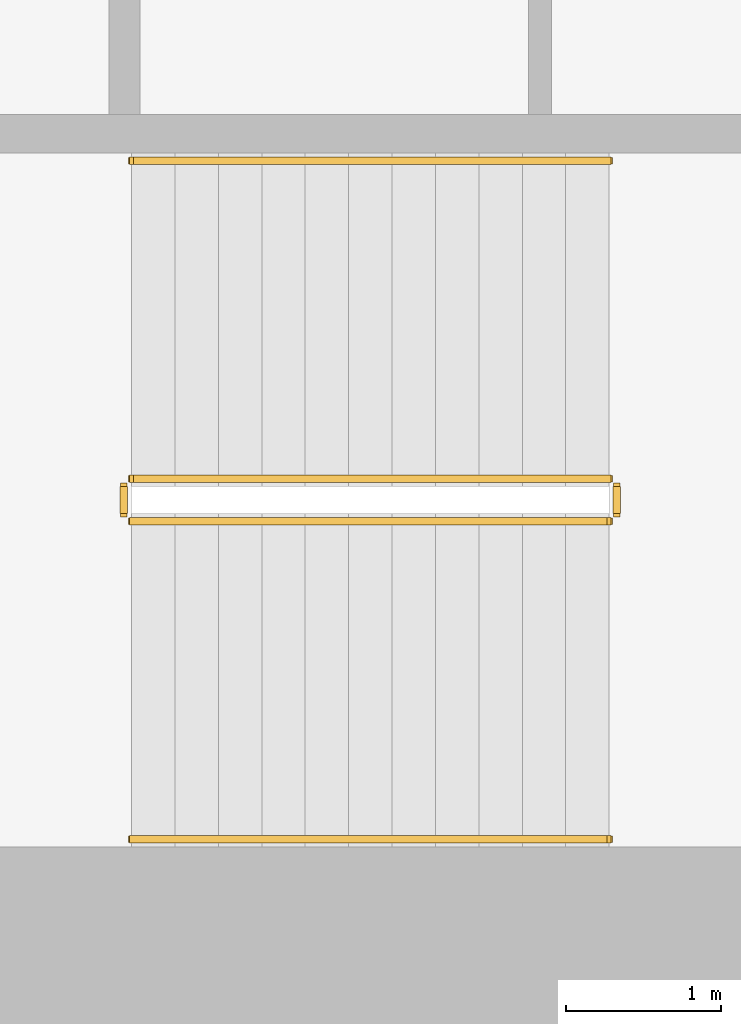
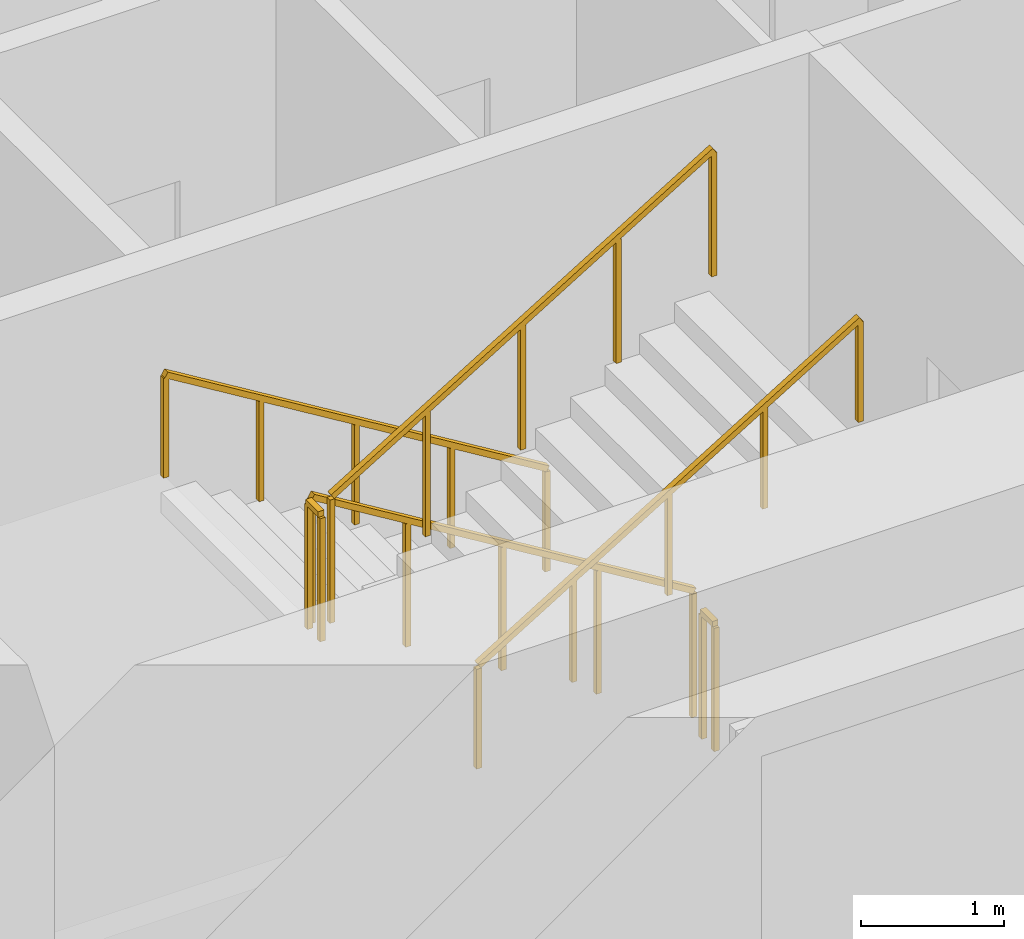
# One storey, part 10 of 15: 6 railings.
"""IFC4 building model written with IfcOpenShell, lengths in metres."""

from ifc_helpers import new_model, si_unit, direction, frame, origin, origin_2d, place, context, subcontext, project, spatial, rectangle, extrude, material, type_object, element, save


model = new_model("IFC4")

# Units and contexts
model_context = context("Model", 3, precision=1e-05, world=origin(), true_north=direction((0.0, 1.0)))
body_context = subcontext(model_context, "Body", "Model", "MODEL_VIEW")
ifc_project = project(units=[si_unit("LENGTHUNIT", "METRE"), si_unit("AREAUNIT", "SQUARE_METRE"), si_unit("VOLUMEUNIT", "CUBIC_METRE"), si_unit("PLANEANGLEUNIT", "RADIAN"), si_unit("MASSUNIT", "GRAM", prefix="KILO")], contexts=[model_context])

# Site, building, storey
site_placement = place(None, origin())
site = spatial("IfcSite", under=ifc_project, at=site_placement, CompositionType="ELEMENT")
building_placement = place(site_placement, origin())
building = spatial("IfcBuilding", under=site, at=building_placement, Name="Cypress Arch Tower", CompositionType="ELEMENT")
storey_placement = place(building_placement, frame((0.0, 0.0, 213.800048828125)))
storey = spatial("IfcBuildingStorey", under=building, at=storey_placement, Name="L47", CompositionType="ELEMENT", Elevation=213.800048828125)

# Railings
ifc_material_1 = material(Name="Black powder-coated steel square bar 48 mm", Category="steel")
railing_type_1 = type_object("IfcRailingType", Name="Stair handrail HR1", PredefinedType="HANDRAIL", material=ifc_material_1)
railing_1_placement = place(storey_placement, frame((-22.27490234375, -10.375, 0.1708984375)))
element("IfcRailing", 1, at=railing_1_placement, inside=storey, type_object=railing_type_1, Name="L47 A stair handrail 1", PredefinedType="HANDRAIL", context=body_context, shape_type="SweptSolid", body=[
    extrude(rectangle(XDim=0.048095703125, YDim=0.048095703125, at=origin_2d()), frame((0.0, 0.0, 0.8759765625), z_axis=(-0.853666305674, 0.0, 0.52082035152), x_axis=(0.0, -1.0, 0.0)), (0.0, 0.0, 1.0), 3.608154296875),
    extrude(rectangle(XDim=0.0419921875, YDim=0.0419921875, at=origin_2d()), origin(), (0.0, 0.0, 1.0), 0.851806640625),
    extrude(rectangle(XDim=0.0419921875, YDim=0.0419921875, at=origin_2d()), frame((-0.77001953125, 0.0, 0.4697265625)), (0.0, 0.0, 1.0), 0.851806640625),
    extrude(rectangle(XDim=0.0419921875, YDim=0.0419921875, at=origin_2d()), frame((-1.5400390625, 0.0, 0.939453125)), (0.0, 0.0, 1.0), 0.851806640625),
    extrude(rectangle(XDim=0.0419921875, YDim=0.0419921875, at=origin_2d()), frame((-2.31005859375, 0.0, 1.409423828125)), (0.0, 0.0, 1.0), 0.851806640625),
    extrude(rectangle(XDim=0.0419921875, YDim=0.0419921875, at=origin_2d()), frame((-3.080078125, 0.0, 1.879150390625)), (0.0, 0.0, 1.0), 0.851806640625),
])
railing_2_placement = place(storey_placement, frame((-25.35498046875, -14.75, 2.220703125)))
element("IfcRailing", 2, at=railing_2_placement, inside=storey, type_object=railing_type_1, Name="L47 A stair handrail 2", PredefinedType="HANDRAIL", context=body_context, shape_type="SweptSolid", body=[
    extrude(rectangle(XDim=0.048095703125, YDim=0.048095703125, at=origin_2d()), frame((0.0, 0.0, 0.8759765625), z_axis=(0.853666305674, 0.0, 0.52082035152), x_axis=(0.0, 1.0, 0.0)), (0.0, 0.0, 1.0), 3.608154296875),
    extrude(rectangle(XDim=0.0419921875, YDim=0.0419921875, at=origin_2d()), origin(), (0.0, 0.0, 1.0), 0.851806640625),
    extrude(rectangle(XDim=0.0419921875, YDim=0.0419921875, at=origin_2d()), frame((0.77001953125, 0.0, 0.4697265625)), (0.0, 0.0, 1.0), 0.851806640625),
    extrude(rectangle(XDim=0.0419921875, YDim=0.0419921875, at=origin_2d()), frame((1.5400390625, 0.0, 0.939453125)), (0.0, 0.0, 1.0), 0.851806640625),
    extrude(rectangle(XDim=0.0419921875, YDim=0.0419921875, at=origin_2d()), frame((2.31005859375, 0.0, 1.409423828125)), (0.0, 0.0, 1.0), 0.851806640625),
    extrude(rectangle(XDim=0.0419921875, YDim=0.0419921875, at=origin_2d()), frame((3.080078125, 0.0, 1.879150390625)), (0.0, 0.0, 1.0), 0.851806640625),
])
ifc_material_2 = material(Name="Black powder-coated steel balusters", Category="steel")
railing_type_2 = type_object("IfcRailingType", Name="Stair well guard G1", PredefinedType="GUARDRAIL", material=ifc_material_2)
railing_3_placement = place(storey_placement, frame((-22.27490234375, -12.425048828125, 0.1708984375)))
element("IfcRailing", 3, at=railing_3_placement, inside=storey, type_object=railing_type_2, Name="L47 A stair guard 1", PredefinedType="GUARDRAIL", context=body_context, shape_type="SweptSolid", body=[
    extrude(rectangle(XDim=0.048095703125, YDim=0.048095703125, at=origin_2d()), frame((0.0, 0.0, 1.076171875), z_axis=(-0.853666305674, 0.0, 0.52082035152), x_axis=(0.0, -1.0, 0.0)), (0.0, 0.0, 1.0), 3.608154296875),
    extrude(rectangle(XDim=0.0419921875, YDim=0.0419921875, at=origin_2d()), origin(), (0.0, 0.0, 1.0), 1.052001953125),
    extrude(rectangle(XDim=0.0419921875, YDim=0.0419921875, at=origin_2d()), frame((-0.77001953125, 0.0, 0.4697265625)), (0.0, 0.0, 1.0), 1.052001953125),
    extrude(rectangle(XDim=0.0419921875, YDim=0.0419921875, at=origin_2d()), frame((-1.5400390625, 0.0, 0.939453125)), (0.0, 0.0, 1.0), 1.052001953125),
    extrude(rectangle(XDim=0.0419921875, YDim=0.0419921875, at=origin_2d()), frame((-2.31005859375, 0.0, 1.409423828125)), (0.0, 0.0, 1.0), 1.052001953125),
    extrude(rectangle(XDim=0.0419921875, YDim=0.0419921875, at=origin_2d()), frame((-3.080078125, 0.0, 1.879150390625)), (0.0, 0.0, 1.0), 1.052001953125),
])
railing_4_placement = place(storey_placement, frame((-25.405029296875, -12.47509765625, 2.050048828125)))
element("IfcRailing", 4, at=railing_4_placement, inside=storey, type_object=railing_type_2, Name="L47 A stair guard 2", PredefinedType="GUARDRAIL", context=body_context, shape_type="SweptSolid", body=[
    extrude(rectangle(XDim=0.048095703125, YDim=0.048095703125, at=origin_2d()), frame((0.0, 0.0, 1.076171875), z_axis=(0.0, -1.0, 0.0), x_axis=(1.0, 0.0, 0.0)), (0.0, 0.0, 1.0), 0.1748046875),
    extrude(rectangle(XDim=0.0419921875, YDim=0.0419921875, at=origin_2d()), origin(), (0.0, 0.0, 1.0), 1.052001953125),
    extrude(rectangle(XDim=0.0419921875, YDim=0.0419921875, at=origin_2d()), frame((0.0, -0.1748046875, 0.0)), (0.0, 0.0, 1.0), 1.052001953125),
])
railing_5_placement = place(storey_placement, frame((-25.35498046875, -12.699951171875, 2.220703125)))
element("IfcRailing", 5, at=railing_5_placement, inside=storey, type_object=railing_type_2, Name="L47 A stair guard 3", PredefinedType="GUARDRAIL", context=body_context, shape_type="SweptSolid", body=[
    extrude(rectangle(XDim=0.048095703125, YDim=0.048095703125, at=origin_2d()), frame((0.0, 0.0, 1.076171875), z_axis=(0.853666305674, 0.0, 0.52082035152), x_axis=(0.0, 1.0, 0.0)), (0.0, 0.0, 1.0), 3.608154296875),
    extrude(rectangle(XDim=0.0419921875, YDim=0.0419921875, at=origin_2d()), origin(), (0.0, 0.0, 1.0), 1.052001953125),
    extrude(rectangle(XDim=0.0419921875, YDim=0.0419921875, at=origin_2d()), frame((0.77001953125, 0.0, 0.4697265625)), (0.0, 0.0, 1.0), 1.052001953125),
    extrude(rectangle(XDim=0.0419921875, YDim=0.0419921875, at=origin_2d()), frame((1.5400390625, 0.0, 0.939453125)), (0.0, 0.0, 1.0), 1.052001953125),
    extrude(rectangle(XDim=0.0419921875, YDim=0.0419921875, at=origin_2d()), frame((2.31005859375, 0.0, 1.409423828125)), (0.0, 0.0, 1.0), 1.052001953125),
    extrude(rectangle(XDim=0.0419921875, YDim=0.0419921875, at=origin_2d()), frame((3.080078125, 0.0, 1.879150390625)), (0.0, 0.0, 1.0), 1.052001953125),
])
railing_6_placement = place(storey_placement, frame((-22.22509765625, -12.47509765625, 0.0)))
element("IfcRailing", 6, at=railing_6_placement, inside=storey, type_object=railing_type_2, Name="L47 A stair guard 4", PredefinedType="GUARDRAIL", context=body_context, shape_type="SweptSolid", body=[
    extrude(rectangle(XDim=0.048095703125, YDim=0.048095703125, at=origin_2d()), frame((0.0, 0.0, 1.076171875), z_axis=(0.0, -1.0, 0.0), x_axis=(1.0, 0.0, 0.0)), (0.0, 0.0, 1.0), 0.1748046875),
    extrude(rectangle(XDim=0.0419921875, YDim=0.0419921875, at=origin_2d()), origin(), (0.0, 0.0, 1.0), 1.052001953125),
    extrude(rectangle(XDim=0.0419921875, YDim=0.0419921875, at=origin_2d()), frame((0.0, -0.1748046875, 0.0)), (0.0, 0.0, 1.0), 1.052001953125),
])

save(model, "model.ifc")
